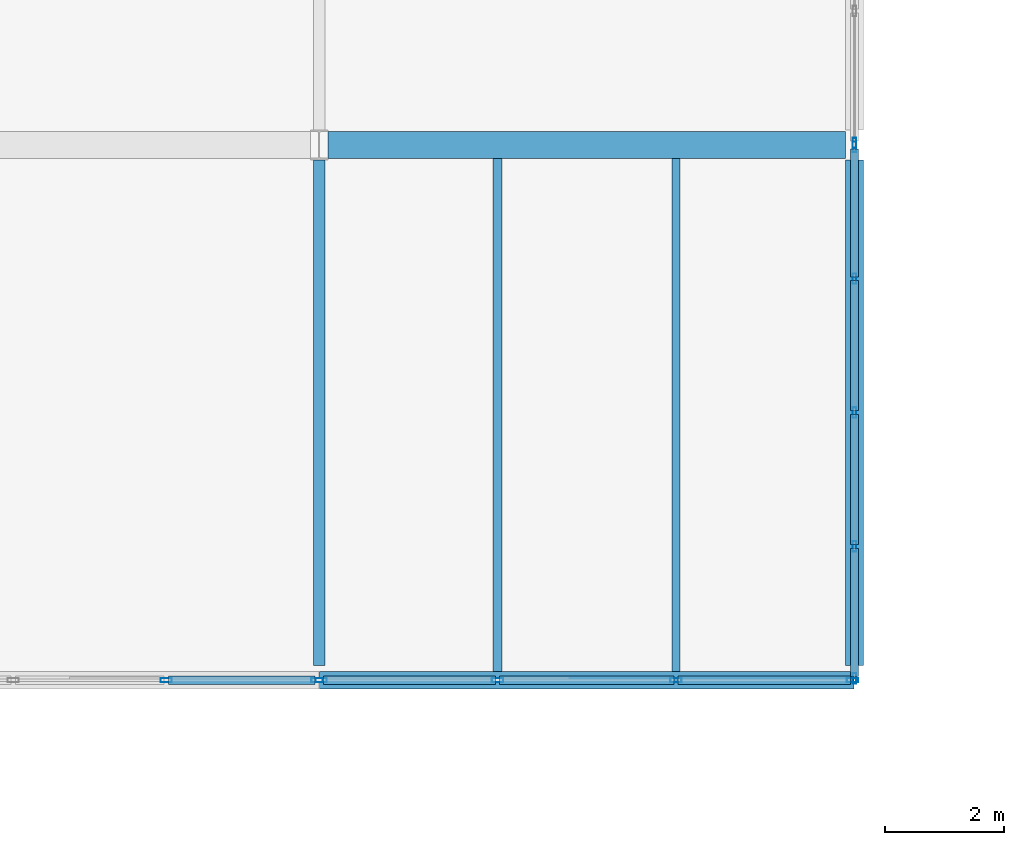
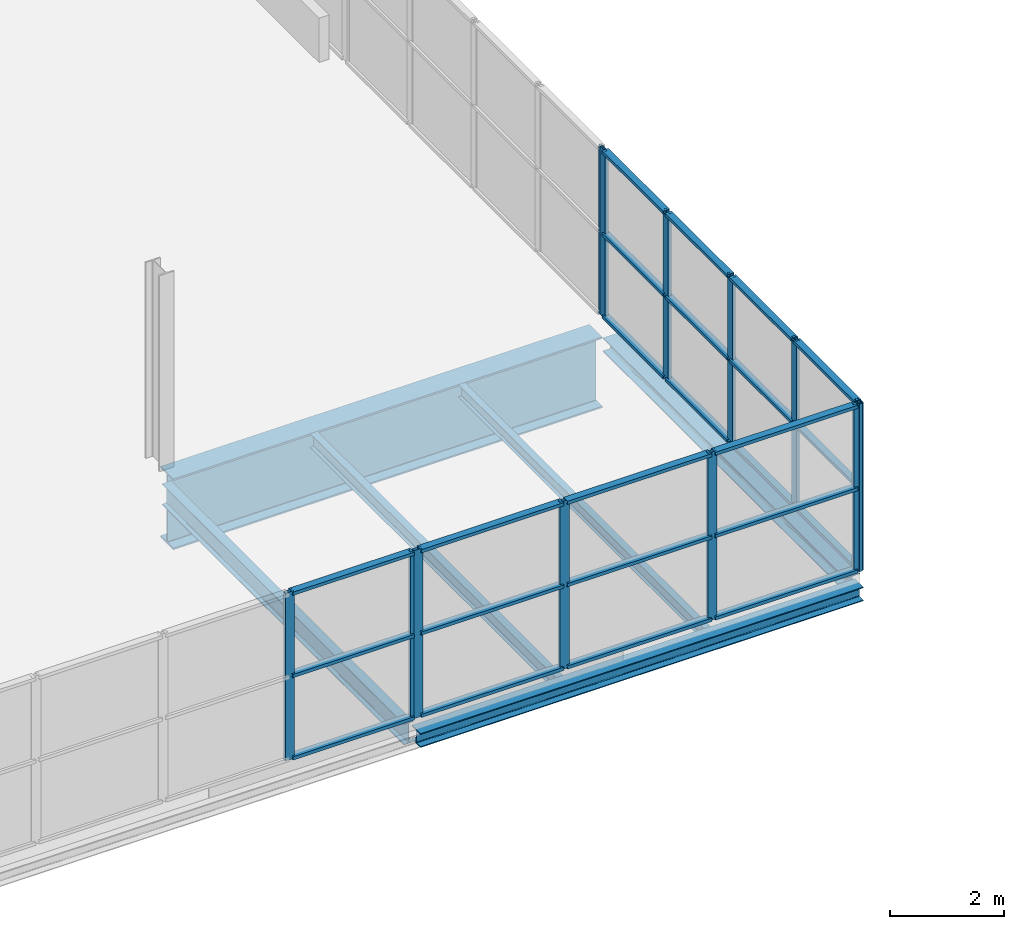
# One storey, part 23 of 88: 36 members, 6 beams, 4 elements without a shape of their own.
"""IFC4 building model written with IfcOpenShell, lengths in metres."""

from ifc_helpers import new_model, si_unit, direction, frame, origin, origin_2d, place, context, subcontext, project, spatial, hollow_rectangle, i_section, extrude, material, layer, layer_set, material_profile, profile_set, type_object, element, aggregate, save


model = new_model("IFC4")

# Units and contexts
model_context = context("Model", 3, precision=1e-05, world=origin(), true_north=direction((0.0, 1.0)))
body_context = subcontext(model_context, "Body", "Model", "MODEL_VIEW")
ifc_project = project(units=[si_unit("LENGTHUNIT", "METRE"), si_unit("AREAUNIT", "SQUARE_METRE"), si_unit("VOLUMEUNIT", "CUBIC_METRE"), si_unit("PLANEANGLEUNIT", "RADIAN"), si_unit("MASSUNIT", "GRAM", prefix="KILO")], contexts=[model_context])

# Site, building, storey
site_placement = place(None, origin())
site = spatial("IfcSite", under=ifc_project, at=site_placement, CompositionType="ELEMENT")
building_placement = place(site_placement, origin())
building = spatial("IfcBuilding", under=site, at=building_placement, Name="Deido Ridge Mobility Hub", CompositionType="ELEMENT")
storey_placement = place(building_placement, frame((0.0, 0.0, 16.800048828125)))
storey = spatial("IfcBuildingStorey", under=building, at=storey_placement, Name="L04", CompositionType="ELEMENT", Elevation=16.800048828125)

# Beams
ifc_material_1 = material(Name="Steel S355J2 EN 10025-2", Category="steel")
ifc_material_profile_1 = material_profile(ifc_material_1, i_section(OverallWidth=0.18994140625, OverallDepth=0.449951171875, WebThickness=0.009521484375, FlangeThickness=0.0146484375, FilletRadius=0.02099609375, at=origin_2d()), Name="IPE 450")
ifc_profile_set_1 = profile_set([ifc_material_profile_1], Name="Steel S355J2 EN 10025-2")
beam_type_1 = type_object("IfcBeamType", Name="BM-IPE450", PredefinedType="BEAM", material=ifc_profile_set_1)
beam_1_placement = place(storey_placement, frame((99.0, 36.25, -0.5), z_axis=(0.0, 1.0, 0.0), x_axis=(-1.0, 0.0, 0.0)))
element("IfcBeam", 1, at=beam_1_placement, inside=storey, type_object=beam_type_1, Name="Floor beam B4", PredefinedType="BEAM", context=body_context, shape_type="SweptSolid", body=[
    extrude(i_section(OverallWidth=0.18994140625, OverallDepth=0.449951171875, WebThickness=0.009521484375, FlangeThickness=0.0146484375, FilletRadius=0.02099609375, at=origin_2d()), origin(), (0.0, 0.0, 1.0), 8.5),
])
ifc_material_profile_2 = material_profile(ifc_material_1, i_section(OverallWidth=0.449951171875, OverallDepth=1.52001953125, WebThickness=0.02001953125, FlangeThickness=0.034912109375, FilletRadius=0.01611328125, at=origin_2d()), Name="WTG 1520x450")
ifc_profile_set_2 = profile_set([ifc_material_profile_2], Name="Steel S355J2 EN 10025-2")
beam_type_2 = type_object("IfcBeamType", Name="BM-TG-1520", PredefinedType="USERDEFINED", material=ifc_profile_set_2)
beam_2_placement = place(storey_placement, frame((99.14990234375, 45.0, -1.03515625), z_axis=(1.0, 0.0, 0.0), x_axis=(0.0, 1.0, 0.0)))
element("IfcBeam", 2, at=beam_2_placement, inside=storey, type_object=beam_type_2, Name="Transfer girder TG2", ObjectType="TRANSFER GIRDER", PredefinedType="USERDEFINED", context=body_context, shape_type="SweptSolid", body=[
    extrude(i_section(OverallWidth=0.449951171875, OverallDepth=1.52001953125, WebThickness=0.02001953125, FlangeThickness=0.034912109375, FilletRadius=0.01611328125, at=origin_2d()), origin(), (0.0, 0.0, 1.0), 8.7001953125),
])
ifc_material_profile_3 = material_profile(ifc_material_1, i_section(OverallWidth=0.135009765625, OverallDepth=0.27001953125, WebThickness=0.006591796875, FlangeThickness=0.01025390625, FilletRadius=0.014892578125, at=origin_2d()), Name="IPE 270")
ifc_profile_set_3 = profile_set([ifc_material_profile_3], Name="Steel S355J2 EN 10025-2")
beam_type_3 = type_object("IfcBeamType", Name="JST-IPE270", PredefinedType="JOIST", material=ifc_profile_set_3)
beam_3_placement = place(storey_placement, frame((105.0, 36.14990234375, -0.41015625), z_axis=(0.0, 1.0, 0.0), x_axis=(-1.0, 0.0, 0.0)))
element("IfcBeam", 3, at=beam_3_placement, inside=storey, type_object=beam_type_3, Name="Composite joist J4", PredefinedType="JOIST", context=body_context, shape_type="SweptSolid", body=[
    extrude(i_section(OverallWidth=0.135009765625, OverallDepth=0.27001953125, WebThickness=0.006591796875, FlangeThickness=0.01025390625, FilletRadius=0.014892578125, at=origin_2d()), origin(), (0.0, 0.0, 1.0), 8.625),
])
ifc_material_profile_4 = material_profile(ifc_material_1, i_section(OverallWidth=0.14990234375, OverallDepth=0.300048828125, WebThickness=0.007080078125, FlangeThickness=0.0107421875, FilletRadius=0.014892578125, at=origin_2d()), Name="IPE 300")
ifc_profile_set_4 = profile_set([ifc_material_profile_4], Name="Steel S355J2 EN 10025-2")
beam_type_4 = type_object("IfcBeamType", Name="JST-IPE300", PredefinedType="JOIST", material=ifc_profile_set_4)
beam_4_placement = place(storey_placement, frame((102.0, 36.14990234375, -0.425048828125), z_axis=(0.0, 1.0, 0.0), x_axis=(-1.0, 0.0, 0.0)))
element("IfcBeam", 4, at=beam_4_placement, inside=storey, type_object=beam_type_4, Name="Composite joist J3", PredefinedType="JOIST", context=body_context, shape_type="SweptSolid", body=[
    extrude(i_section(OverallWidth=0.14990234375, OverallDepth=0.300048828125, WebThickness=0.007080078125, FlangeThickness=0.0107421875, FilletRadius=0.014892578125, at=origin_2d()), origin(), (0.0, 0.0, 1.0), 8.625),
])

# Curtain wall, members
ifc_material_2 = material(Name="Anodised aluminium EN AW-6063 T6", Category="aluminium")
ifc_layer_1 = layer(ifc_material_2, 0.2099609375, Name="Anodised aluminium EN AW-6063 T6")
ifc_layer_set_1 = layer_set([ifc_layer_1], Name="Anodised aluminium EN AW-6063 T6")
curtain_wall_type_1 = type_object("IfcCurtainWallType", Name="CW-UF-4", PredefinedType="USERDEFINED", material=ifc_layer_set_1)
curtain_wall_1_placement = place(storey_placement, origin())
curtain_wall_1 = element("IfcCurtainWall", 5, at=curtain_wall_1_placement, inside=storey, type_object=curtain_wall_type_1, Name="Unitised curtain wall CW4", ObjectType="UNITISED FACADE", PredefinedType="USERDEFINED")
ifc_material_profile_5 = material_profile(ifc_material_2, hollow_rectangle(XDim=0.06494140625, YDim=0.175048828125, WallThickness=0.00390625, at=origin_2d()), Name="RHS 65x175x4")
ifc_profile_set_5 = profile_set([ifc_material_profile_5], Name="Anodised aluminium EN AW-6063 T6")
member_type_1 = type_object("IfcMemberType", Name="MEM-MUL-65X175", PredefinedType="MULLION", material=ifc_profile_set_5)
member_1_placement = place(storey_placement, frame((108.0, 36.032470703125, 0.0), z_axis=(0.0, 0.0, 1.0), x_axis=(-1.0, 0.0, 0.0)))
member_1 = element("IfcMember", 6, at=member_1_placement, type_object=member_type_1, Name="CW4 mullion 1", PredefinedType="MULLION", context=body_context, shape_type="SweptSolid", body=[
    extrude(hollow_rectangle(XDim=0.06494140625, YDim=0.175048828125, WallThickness=0.00390625, at=origin_2d()), origin(), (0.0, 0.0, 1.0), 3.599853515625),
])
member_2_placement = place(storey_placement, frame((108.0, 38.25, 0.0), z_axis=(0.0, 0.0, 1.0), x_axis=(-1.0, 0.0, 0.0)))
member_2 = element("IfcMember", 7, at=member_2_placement, type_object=member_type_1, Name="CW4 mullion 2", PredefinedType="MULLION", context=body_context, shape_type="SweptSolid", body=[
    extrude(hollow_rectangle(XDim=0.06494140625, YDim=0.175048828125, WallThickness=0.00390625, at=origin_2d()), origin(), (0.0, 0.0, 1.0), 3.599853515625),
])
member_3_placement = place(storey_placement, frame((108.0, 40.5, 0.0), z_axis=(0.0, 0.0, 1.0), x_axis=(-1.0, 0.0, 0.0)))
member_3 = element("IfcMember", 8, at=member_3_placement, type_object=member_type_1, Name="CW4 mullion 3", PredefinedType="MULLION", context=body_context, shape_type="SweptSolid", body=[
    extrude(hollow_rectangle(XDim=0.06494140625, YDim=0.175048828125, WallThickness=0.00390625, at=origin_2d()), origin(), (0.0, 0.0, 1.0), 3.599853515625),
])
member_4_placement = place(storey_placement, frame((108.0, 42.75, 0.0), z_axis=(0.0, 0.0, 1.0), x_axis=(-1.0, 0.0, 0.0)))
member_4 = element("IfcMember", 9, at=member_4_placement, type_object=member_type_1, Name="CW4 mullion 4", PredefinedType="MULLION", context=body_context, shape_type="SweptSolid", body=[
    extrude(hollow_rectangle(XDim=0.06494140625, YDim=0.175048828125, WallThickness=0.00390625, at=origin_2d()), origin(), (0.0, 0.0, 1.0), 3.599853515625),
])
member_5_placement = place(storey_placement, frame((108.0, 44.967529296875, 0.0), z_axis=(0.0, 0.0, 1.0), x_axis=(-1.0, 0.0, 0.0)))
member_5 = element("IfcMember", 10, at=member_5_placement, type_object=member_type_1, Name="CW4 mullion 5", PredefinedType="MULLION", context=body_context, shape_type="SweptSolid", body=[
    extrude(hollow_rectangle(XDim=0.06494140625, YDim=0.175048828125, WallThickness=0.00390625, at=origin_2d()), origin(), (0.0, 0.0, 1.0), 3.599853515625),
])

# Curtain wall, member
curtain_wall_2_placement = place(storey_placement, origin())
curtain_wall_2 = element("IfcCurtainWall", 11, at=curtain_wall_2_placement, inside=storey, type_object=curtain_wall_type_1, Name="Unitised curtain wall CW4", ObjectType="UNITISED FACADE", PredefinedType="USERDEFINED")
member_6_placement = place(storey_placement, frame((108.0, 45.032470703125, 0.0), z_axis=(0.0, 0.0, 1.0), x_axis=(-1.0, 0.0, 0.0)))
member_6 = element("IfcMember", 12, at=member_6_placement, type_object=member_type_1, Name="CW4 mullion 1", PredefinedType="MULLION", context=body_context, shape_type="SweptSolid", body=[
    extrude(hollow_rectangle(XDim=0.06494140625, YDim=0.175048828125, WallThickness=0.00390625, at=origin_2d()), origin(), (0.0, 0.0, 1.0), 3.599853515625),
])
aggregate(curtain_wall_2, [member_6])

# Curtain wall, members
ifc_layer_2 = layer(ifc_material_2, 0.22509765625, Name="Anodised aluminium EN AW-6063 T6")
ifc_layer_set_2 = layer_set([ifc_layer_2], Name="Anodised aluminium EN AW-6063 T6")
curtain_wall_type_2 = type_object("IfcCurtainWallType", Name="CW-UF-5", PredefinedType="USERDEFINED", material=ifc_layer_set_2)
curtain_wall_3_placement = place(storey_placement, origin())
curtain_wall_3 = element("IfcCurtainWall", 13, at=curtain_wall_3_placement, inside=storey, type_object=curtain_wall_type_2, Name="Unitised curtain wall CW5", ObjectType="UNITISED FACADE", PredefinedType="USERDEFINED")
ifc_material_profile_6 = material_profile(ifc_material_2, hollow_rectangle(XDim=0.070068359375, YDim=0.18994140625, WallThickness=0.00390625, at=origin_2d()), Name="RHS 70x190x4")
ifc_profile_set_6 = profile_set([ifc_material_profile_6], Name="Anodised aluminium EN AW-6063 T6")
member_type_2 = type_object("IfcMemberType", Name="MEM-MUL-70X190", PredefinedType="MULLION", material=ifc_profile_set_6)
member_7_placement = place(storey_placement, frame((96.428466796875, 36.0, 0.0), z_axis=(0.0, 0.0, 1.0), x_axis=(0.0, 1.0, 0.0)))
member_7 = element("IfcMember", 14, at=member_7_placement, type_object=member_type_2, Name="CW5 mullion 7", PredefinedType="MULLION", context=body_context, shape_type="SweptSolid", body=[
    extrude(hollow_rectangle(XDim=0.070068359375, YDim=0.18994140625, WallThickness=0.00390625, at=origin_2d()), origin(), (0.0, 0.0, 1.0), 3.599853515625),
])
member_8_placement = place(storey_placement, frame((98.965087890625, 36.0, 0.0), z_axis=(0.0, 0.0, 1.0), x_axis=(0.0, 1.0, 0.0)))
member_8 = element("IfcMember", 15, at=member_8_placement, type_object=member_type_2, Name="CW5 mullion 8", PredefinedType="MULLION", context=body_context, shape_type="SweptSolid", body=[
    extrude(hollow_rectangle(XDim=0.070068359375, YDim=0.18994140625, WallThickness=0.00390625, at=origin_2d()), origin(), (0.0, 0.0, 1.0), 3.599853515625),
])

curtain_wall_4_placement = place(storey_placement, origin())
curtain_wall_4 = element("IfcCurtainWall", 16, at=curtain_wall_4_placement, inside=storey, type_object=curtain_wall_type_2, Name="Unitised curtain wall CW5", ObjectType="UNITISED FACADE", PredefinedType="USERDEFINED")
member_9_placement = place(storey_placement, frame((99.034912109375, 36.0, 0.0), z_axis=(0.0, 0.0, 1.0), x_axis=(0.0, 1.0, 0.0)))
member_9 = element("IfcMember", 17, at=member_9_placement, type_object=member_type_2, Name="CW5 mullion 1", PredefinedType="MULLION", context=body_context, shape_type="SweptSolid", body=[
    extrude(hollow_rectangle(XDim=0.070068359375, YDim=0.18994140625, WallThickness=0.00390625, at=origin_2d()), origin(), (0.0, 0.0, 1.0), 3.599853515625),
])
member_10_placement = place(storey_placement, frame((102.0, 36.0, 0.0), z_axis=(0.0, 0.0, 1.0), x_axis=(0.0, 1.0, 0.0)))
member_10 = element("IfcMember", 18, at=member_10_placement, type_object=member_type_2, Name="CW5 mullion 2", PredefinedType="MULLION", context=body_context, shape_type="SweptSolid", body=[
    extrude(hollow_rectangle(XDim=0.070068359375, YDim=0.18994140625, WallThickness=0.00390625, at=origin_2d()), origin(), (0.0, 0.0, 1.0), 3.599853515625),
])
member_11_placement = place(storey_placement, frame((105.0, 36.0, 0.0), z_axis=(0.0, 0.0, 1.0), x_axis=(0.0, 1.0, 0.0)))
member_11 = element("IfcMember", 19, at=member_11_placement, type_object=member_type_2, Name="CW5 mullion 3", PredefinedType="MULLION", context=body_context, shape_type="SweptSolid", body=[
    extrude(hollow_rectangle(XDim=0.070068359375, YDim=0.18994140625, WallThickness=0.00390625, at=origin_2d()), origin(), (0.0, 0.0, 1.0), 3.599853515625),
])
member_12_placement = place(storey_placement, frame((107.965087890625, 36.0, 0.0), z_axis=(0.0, 0.0, 1.0), x_axis=(0.0, 1.0, 0.0)))
member_12 = element("IfcMember", 20, at=member_12_placement, type_object=member_type_2, Name="CW5 mullion 4", PredefinedType="MULLION", context=body_context, shape_type="SweptSolid", body=[
    extrude(hollow_rectangle(XDim=0.070068359375, YDim=0.18994140625, WallThickness=0.00390625, at=origin_2d()), origin(), (0.0, 0.0, 1.0), 3.599853515625),
])

# Member
ifc_material_profile_7 = material_profile(ifc_material_2, hollow_rectangle(XDim=0.135009765625, YDim=0.06494140625, WallThickness=0.00390625, at=origin_2d()), Name="RHS 135x65x4")
ifc_profile_set_7 = profile_set([ifc_material_profile_7], Name="Anodised aluminium EN AW-6063 T6")
member_type_3 = type_object("IfcMemberType", Name="MEM-TRN-135X65", PredefinedType="USERDEFINED", material=ifc_profile_set_7)
member_13_placement = place(storey_placement, frame((108.0, 36.06494140625, 0.032470703125), z_axis=(0.0, 1.0, 0.0), x_axis=(-1.0, 0.0, 0.0)))
member_13 = element("IfcMember", 21, at=member_13_placement, type_object=member_type_3, Name="CW4 transom 1.1", ObjectType="TRANSOM", PredefinedType="USERDEFINED", context=body_context, shape_type="SweptSolid", body=[
    extrude(hollow_rectangle(XDim=0.135009765625, YDim=0.06494140625, WallThickness=0.00390625, at=origin_2d()), origin(), (0.0, 0.0, 1.0), 2.152587890625),
])

member_14_placement = place(storey_placement, frame((108.0, 36.06494140625, 1.800048828125), z_axis=(0.0, 1.0, 0.0), x_axis=(-1.0, 0.0, 0.0)))
member_14 = element("IfcMember", 22, at=member_14_placement, type_object=member_type_3, Name="CW4 transom 1.2", ObjectType="TRANSOM", PredefinedType="USERDEFINED", context=body_context, shape_type="SweptSolid", body=[
    extrude(hollow_rectangle(XDim=0.135009765625, YDim=0.06494140625, WallThickness=0.00390625, at=origin_2d()), origin(), (0.0, 0.0, 1.0), 2.152587890625),
])

member_15_placement = place(storey_placement, frame((108.0, 36.06494140625, 3.5673828125), z_axis=(0.0, 1.0, 0.0), x_axis=(-1.0, 0.0, 0.0)))
member_15 = element("IfcMember", 23, at=member_15_placement, type_object=member_type_3, Name="CW4 transom 1.3", ObjectType="TRANSOM", PredefinedType="USERDEFINED", context=body_context, shape_type="SweptSolid", body=[
    extrude(hollow_rectangle(XDim=0.135009765625, YDim=0.06494140625, WallThickness=0.00390625, at=origin_2d()), origin(), (0.0, 0.0, 1.0), 2.152587890625),
])

member_16_placement = place(storey_placement, frame((108.0, 38.282470703125, 0.032470703125), z_axis=(0.0, 1.0, 0.0), x_axis=(-1.0, 0.0, 0.0)))
member_16 = element("IfcMember", 24, at=member_16_placement, type_object=member_type_3, Name="CW4 transom 2.1", ObjectType="TRANSOM", PredefinedType="USERDEFINED", context=body_context, shape_type="SweptSolid", body=[
    extrude(hollow_rectangle(XDim=0.135009765625, YDim=0.06494140625, WallThickness=0.00390625, at=origin_2d()), origin(), (0.0, 0.0, 1.0), 2.18505859375),
])

member_17_placement = place(storey_placement, frame((108.0, 38.282470703125, 1.800048828125), z_axis=(0.0, 1.0, 0.0), x_axis=(-1.0, 0.0, 0.0)))
member_17 = element("IfcMember", 25, at=member_17_placement, type_object=member_type_3, Name="CW4 transom 2.2", ObjectType="TRANSOM", PredefinedType="USERDEFINED", context=body_context, shape_type="SweptSolid", body=[
    extrude(hollow_rectangle(XDim=0.135009765625, YDim=0.06494140625, WallThickness=0.00390625, at=origin_2d()), origin(), (0.0, 0.0, 1.0), 2.18505859375),
])

member_18_placement = place(storey_placement, frame((108.0, 38.282470703125, 3.5673828125), z_axis=(0.0, 1.0, 0.0), x_axis=(-1.0, 0.0, 0.0)))
member_18 = element("IfcMember", 26, at=member_18_placement, type_object=member_type_3, Name="CW4 transom 2.3", ObjectType="TRANSOM", PredefinedType="USERDEFINED", context=body_context, shape_type="SweptSolid", body=[
    extrude(hollow_rectangle(XDim=0.135009765625, YDim=0.06494140625, WallThickness=0.00390625, at=origin_2d()), origin(), (0.0, 0.0, 1.0), 2.18505859375),
])

member_19_placement = place(storey_placement, frame((108.0, 40.532470703125, 0.032470703125), z_axis=(0.0, 1.0, 0.0), x_axis=(-1.0, 0.0, 0.0)))
member_19 = element("IfcMember", 27, at=member_19_placement, type_object=member_type_3, Name="CW4 transom 3.1", ObjectType="TRANSOM", PredefinedType="USERDEFINED", context=body_context, shape_type="SweptSolid", body=[
    extrude(hollow_rectangle(XDim=0.135009765625, YDim=0.06494140625, WallThickness=0.00390625, at=origin_2d()), origin(), (0.0, 0.0, 1.0), 2.18505859375),
])

member_20_placement = place(storey_placement, frame((108.0, 40.532470703125, 1.800048828125), z_axis=(0.0, 1.0, 0.0), x_axis=(-1.0, 0.0, 0.0)))
member_20 = element("IfcMember", 28, at=member_20_placement, type_object=member_type_3, Name="CW4 transom 3.2", ObjectType="TRANSOM", PredefinedType="USERDEFINED", context=body_context, shape_type="SweptSolid", body=[
    extrude(hollow_rectangle(XDim=0.135009765625, YDim=0.06494140625, WallThickness=0.00390625, at=origin_2d()), origin(), (0.0, 0.0, 1.0), 2.18505859375),
])

member_21_placement = place(storey_placement, frame((108.0, 40.532470703125, 3.5673828125), z_axis=(0.0, 1.0, 0.0), x_axis=(-1.0, 0.0, 0.0)))
member_21 = element("IfcMember", 29, at=member_21_placement, type_object=member_type_3, Name="CW4 transom 3.3", ObjectType="TRANSOM", PredefinedType="USERDEFINED", context=body_context, shape_type="SweptSolid", body=[
    extrude(hollow_rectangle(XDim=0.135009765625, YDim=0.06494140625, WallThickness=0.00390625, at=origin_2d()), origin(), (0.0, 0.0, 1.0), 2.18505859375),
])

member_22_placement = place(storey_placement, frame((108.0, 42.782470703125, 0.032470703125), z_axis=(0.0, 1.0, 0.0), x_axis=(-1.0, 0.0, 0.0)))
member_22 = element("IfcMember", 30, at=member_22_placement, type_object=member_type_3, Name="CW4 transom 4.1", ObjectType="TRANSOM", PredefinedType="USERDEFINED", context=body_context, shape_type="SweptSolid", body=[
    extrude(hollow_rectangle(XDim=0.135009765625, YDim=0.06494140625, WallThickness=0.00390625, at=origin_2d()), origin(), (0.0, 0.0, 1.0), 2.152587890625),
])

member_23_placement = place(storey_placement, frame((108.0, 42.782470703125, 1.800048828125), z_axis=(0.0, 1.0, 0.0), x_axis=(-1.0, 0.0, 0.0)))
member_23 = element("IfcMember", 31, at=member_23_placement, type_object=member_type_3, Name="CW4 transom 4.2", ObjectType="TRANSOM", PredefinedType="USERDEFINED", context=body_context, shape_type="SweptSolid", body=[
    extrude(hollow_rectangle(XDim=0.135009765625, YDim=0.06494140625, WallThickness=0.00390625, at=origin_2d()), origin(), (0.0, 0.0, 1.0), 2.152587890625),
])

member_24_placement = place(storey_placement, frame((108.0, 42.782470703125, 3.5673828125), z_axis=(0.0, 1.0, 0.0), x_axis=(-1.0, 0.0, 0.0)))
member_24 = element("IfcMember", 32, at=member_24_placement, type_object=member_type_3, Name="CW4 transom 4.3", ObjectType="TRANSOM", PredefinedType="USERDEFINED", context=body_context, shape_type="SweptSolid", body=[
    extrude(hollow_rectangle(XDim=0.135009765625, YDim=0.06494140625, WallThickness=0.00390625, at=origin_2d()), origin(), (0.0, 0.0, 1.0), 2.152587890625),
])

aggregate(curtain_wall_1, [member_1, member_2, member_3, member_4, member_5, member_13, member_14, member_15, member_16, member_17, member_18, member_19, member_20, member_21, member_22, member_23, member_24])

ifc_material_profile_8 = material_profile(ifc_material_2, hollow_rectangle(XDim=0.14501953125, YDim=0.070068359375, WallThickness=0.00390625, at=origin_2d()), Name="RHS 145x70x4")
ifc_profile_set_8 = profile_set([ifc_material_profile_8], Name="Anodised aluminium EN AW-6063 T6")
member_type_4 = type_object("IfcMemberType", Name="MEM-TRN-145X70", PredefinedType="USERDEFINED", material=ifc_profile_set_8)
member_25_placement = place(storey_placement, frame((96.463623046875, 36.0, 0.034912109375), z_axis=(1.0, 0.0, 0.0), x_axis=(0.0, 1.0, 0.0)))
member_25 = element("IfcMember", 33, at=member_25_placement, type_object=member_type_4, Name="CW5 transom 7.1", ObjectType="TRANSOM", PredefinedType="USERDEFINED", context=body_context, shape_type="SweptSolid", body=[
    extrude(hollow_rectangle(XDim=0.14501953125, YDim=0.070068359375, WallThickness=0.00390625, at=origin_2d()), origin(), (0.0, 0.0, 1.0), 2.46630859375),
])

member_26_placement = place(storey_placement, frame((96.463623046875, 36.0, 1.800048828125), z_axis=(1.0, 0.0, 0.0), x_axis=(0.0, 1.0, 0.0)))
member_26 = element("IfcMember", 34, at=member_26_placement, type_object=member_type_4, Name="CW5 transom 7.2", ObjectType="TRANSOM", PredefinedType="USERDEFINED", context=body_context, shape_type="SweptSolid", body=[
    extrude(hollow_rectangle(XDim=0.14501953125, YDim=0.070068359375, WallThickness=0.00390625, at=origin_2d()), origin(), (0.0, 0.0, 1.0), 2.46630859375),
])

member_27_placement = place(storey_placement, frame((96.463623046875, 36.0, 3.56494140625), z_axis=(1.0, 0.0, 0.0), x_axis=(0.0, 1.0, 0.0)))
member_27 = element("IfcMember", 35, at=member_27_placement, type_object=member_type_4, Name="CW5 transom 7.3", ObjectType="TRANSOM", PredefinedType="USERDEFINED", context=body_context, shape_type="SweptSolid", body=[
    extrude(hollow_rectangle(XDim=0.14501953125, YDim=0.070068359375, WallThickness=0.00390625, at=origin_2d()), origin(), (0.0, 0.0, 1.0), 2.46630859375),
])

aggregate(curtain_wall_3, [member_7, member_8, member_25, member_26, member_27])

member_28_placement = place(storey_placement, frame((99.070068359375, 36.0, 0.034912109375), z_axis=(1.0, 0.0, 0.0), x_axis=(0.0, 1.0, 0.0)))
member_28 = element("IfcMember", 36, at=member_28_placement, type_object=member_type_4, Name="CW5 transom 1.1", ObjectType="TRANSOM", PredefinedType="USERDEFINED", context=body_context, shape_type="SweptSolid", body=[
    extrude(hollow_rectangle(XDim=0.14501953125, YDim=0.070068359375, WallThickness=0.00390625, at=origin_2d()), origin(), (0.0, 0.0, 1.0), 2.89501953125),
])

member_29_placement = place(storey_placement, frame((99.070068359375, 36.0, 1.800048828125), z_axis=(1.0, 0.0, 0.0), x_axis=(0.0, 1.0, 0.0)))
member_29 = element("IfcMember", 37, at=member_29_placement, type_object=member_type_4, Name="CW5 transom 1.2", ObjectType="TRANSOM", PredefinedType="USERDEFINED", context=body_context, shape_type="SweptSolid", body=[
    extrude(hollow_rectangle(XDim=0.14501953125, YDim=0.070068359375, WallThickness=0.00390625, at=origin_2d()), origin(), (0.0, 0.0, 1.0), 2.89501953125),
])

member_30_placement = place(storey_placement, frame((99.070068359375, 36.0, 3.56494140625), z_axis=(1.0, 0.0, 0.0), x_axis=(0.0, 1.0, 0.0)))
member_30 = element("IfcMember", 38, at=member_30_placement, type_object=member_type_4, Name="CW5 transom 1.3", ObjectType="TRANSOM", PredefinedType="USERDEFINED", context=body_context, shape_type="SweptSolid", body=[
    extrude(hollow_rectangle(XDim=0.14501953125, YDim=0.070068359375, WallThickness=0.00390625, at=origin_2d()), origin(), (0.0, 0.0, 1.0), 2.89501953125),
])

member_31_placement = place(storey_placement, frame((102.034912109375, 36.0, 0.034912109375), z_axis=(1.0, 0.0, 0.0), x_axis=(0.0, 1.0, 0.0)))
member_31 = element("IfcMember", 39, at=member_31_placement, type_object=member_type_4, Name="CW5 transom 2.1", ObjectType="TRANSOM", PredefinedType="USERDEFINED", context=body_context, shape_type="SweptSolid", body=[
    extrude(hollow_rectangle(XDim=0.14501953125, YDim=0.070068359375, WallThickness=0.00390625, at=origin_2d()), origin(), (0.0, 0.0, 1.0), 2.93017578125),
])

member_32_placement = place(storey_placement, frame((102.034912109375, 36.0, 1.800048828125), z_axis=(1.0, 0.0, 0.0), x_axis=(0.0, 1.0, 0.0)))
member_32 = element("IfcMember", 40, at=member_32_placement, type_object=member_type_4, Name="CW5 transom 2.2", ObjectType="TRANSOM", PredefinedType="USERDEFINED", context=body_context, shape_type="SweptSolid", body=[
    extrude(hollow_rectangle(XDim=0.14501953125, YDim=0.070068359375, WallThickness=0.00390625, at=origin_2d()), origin(), (0.0, 0.0, 1.0), 2.93017578125),
])

member_33_placement = place(storey_placement, frame((102.034912109375, 36.0, 3.56494140625), z_axis=(1.0, 0.0, 0.0), x_axis=(0.0, 1.0, 0.0)))
member_33 = element("IfcMember", 41, at=member_33_placement, type_object=member_type_4, Name="CW5 transom 2.3", ObjectType="TRANSOM", PredefinedType="USERDEFINED", context=body_context, shape_type="SweptSolid", body=[
    extrude(hollow_rectangle(XDim=0.14501953125, YDim=0.070068359375, WallThickness=0.00390625, at=origin_2d()), origin(), (0.0, 0.0, 1.0), 2.93017578125),
])

member_34_placement = place(storey_placement, frame((105.034912109375, 36.0, 0.034912109375), z_axis=(1.0, 0.0, 0.0), x_axis=(0.0, 1.0, 0.0)))
member_34 = element("IfcMember", 42, at=member_34_placement, type_object=member_type_4, Name="CW5 transom 3.1", ObjectType="TRANSOM", PredefinedType="USERDEFINED", context=body_context, shape_type="SweptSolid", body=[
    extrude(hollow_rectangle(XDim=0.14501953125, YDim=0.070068359375, WallThickness=0.00390625, at=origin_2d()), origin(), (0.0, 0.0, 1.0), 2.89501953125),
])

member_35_placement = place(storey_placement, frame((105.034912109375, 36.0, 1.800048828125), z_axis=(1.0, 0.0, 0.0), x_axis=(0.0, 1.0, 0.0)))
member_35 = element("IfcMember", 43, at=member_35_placement, type_object=member_type_4, Name="CW5 transom 3.2", ObjectType="TRANSOM", PredefinedType="USERDEFINED", context=body_context, shape_type="SweptSolid", body=[
    extrude(hollow_rectangle(XDim=0.14501953125, YDim=0.070068359375, WallThickness=0.00390625, at=origin_2d()), origin(), (0.0, 0.0, 1.0), 2.89501953125),
])

member_36_placement = place(storey_placement, frame((105.034912109375, 36.0, 3.56494140625), z_axis=(1.0, 0.0, 0.0), x_axis=(0.0, 1.0, 0.0)))
member_36 = element("IfcMember", 44, at=member_36_placement, type_object=member_type_4, Name="CW5 transom 3.3", ObjectType="TRANSOM", PredefinedType="USERDEFINED", context=body_context, shape_type="SweptSolid", body=[
    extrude(hollow_rectangle(XDim=0.14501953125, YDim=0.070068359375, WallThickness=0.00390625, at=origin_2d()), origin(), (0.0, 0.0, 1.0), 2.89501953125),
])

aggregate(curtain_wall_4, [member_9, member_10, member_11, member_12, member_28, member_29, member_30, member_31, member_32, member_33, member_34, member_35, member_36])

# Beams
ifc_material_profile_9 = material_profile(ifc_material_1, i_section(OverallWidth=0.300048828125, OverallDepth=0.300048828125, WebThickness=0.010986328125, FlangeThickness=0.01904296875, FilletRadius=0.027099609375, at=origin_2d()), Name="HEB 300")
ifc_profile_set_9 = profile_set([ifc_material_profile_9], Name="Steel S355J2 EN 10025-2")
beam_type_5 = type_object("IfcBeamType", Name="SPD-HEB300", PredefinedType="SPANDREL", material=ifc_profile_set_9)
beam_5_placement = place(storey_placement, frame((99.007080078125, 36.0, -0.425048828125), z_axis=(1.0, 0.0, 0.0), x_axis=(0.0, 1.0, 0.0)))
element("IfcBeam", 45, at=beam_5_placement, inside=storey, type_object=beam_type_5, Name="Floor beam SP1", PredefinedType="SPANDREL", context=body_context, shape_type="SweptSolid", body=[
    extrude(i_section(OverallWidth=0.300048828125, OverallDepth=0.300048828125, WebThickness=0.010986328125, FlangeThickness=0.01904296875, FilletRadius=0.027099609375, at=origin_2d()), origin(), (0.0, 0.0, 1.0), 8.98583984375),
])
beam_6_placement = place(storey_placement, frame((108.0, 36.25, -0.425048828125), z_axis=(0.0, 1.0, 0.0), x_axis=(-1.0, 0.0, 0.0)))
element("IfcBeam", 46, at=beam_6_placement, inside=storey, type_object=beam_type_5, Name="Floor beam SP1", PredefinedType="SPANDREL", context=body_context, shape_type="SweptSolid", body=[
    extrude(i_section(OverallWidth=0.300048828125, OverallDepth=0.300048828125, WebThickness=0.010986328125, FlangeThickness=0.01904296875, FilletRadius=0.027099609375, at=origin_2d()), origin(), (0.0, 0.0, 1.0), 8.5),
])

save(model, "model.ifc")
